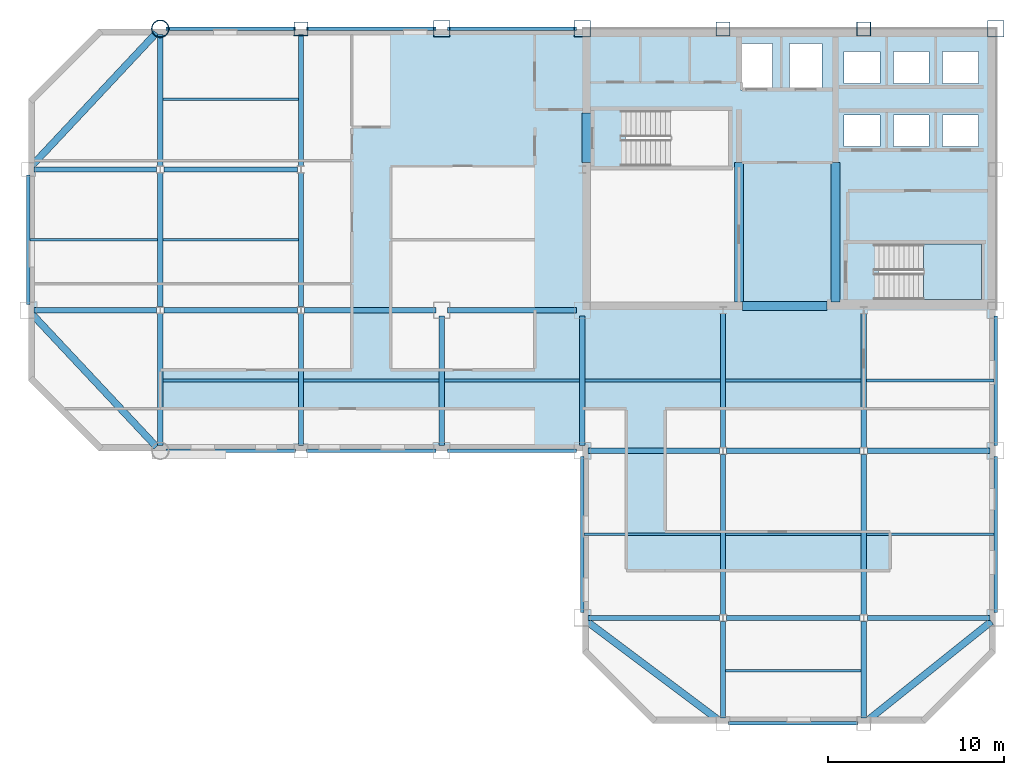
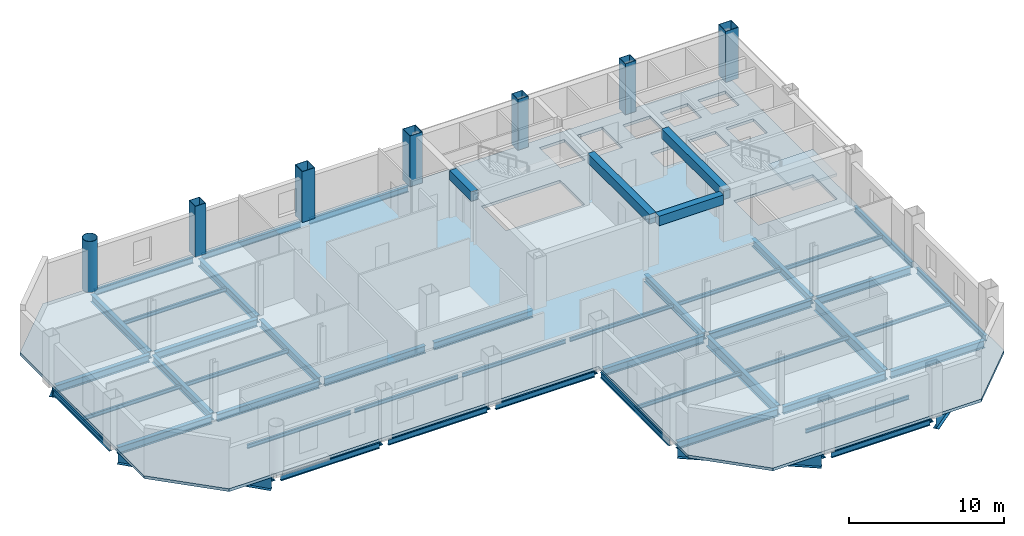
# One storey, part 3 of 10: 58 beams, 7 columns, 2 slabs, 1 element without a shape of its own.
"""IFC4 building model written with IfcOpenShell, lengths in metres."""

from ifc_helpers import new_model, si_unit, direction, frame, origin, origin_2d, place, context, subcontext, project, spatial, polyline, rectangle, hollow_rectangle, hollow_circle, i_section, outline, extrude, material, layer, layer_set, material_profile, profile_set, type_object, element, aggregate, save


model = new_model("IFC4")

# Units and contexts
model_context = context("Model", 3, precision=1e-05, world=origin(), true_north=direction((0.0, 1.0)))
body_context = subcontext(model_context, "Body", "Model", "MODEL_VIEW")
ifc_project = project(units=[si_unit("LENGTHUNIT", "METRE"), si_unit("AREAUNIT", "SQUARE_METRE"), si_unit("VOLUMEUNIT", "CUBIC_METRE"), si_unit("PLANEANGLEUNIT", "RADIAN"), si_unit("MASSUNIT", "GRAM", prefix="KILO")], contexts=[model_context])

# Site, building, storey
site_placement = place(None, origin())
site = spatial("IfcSite", under=ifc_project, at=site_placement, CompositionType="ELEMENT")
building_placement = place(site_placement, origin())
building = spatial("IfcBuilding", under=site, at=building_placement, Name="Qianrong Seaharbour Tower", CompositionType="ELEMENT")
storey_placement = place(building_placement, frame((0.0, 0.0, 253.800048828125)))
storey = spatial("IfcBuildingStorey", under=building, at=storey_placement, Name="L61", CompositionType="ELEMENT", Elevation=253.800048828125)

# Columns
ifc_material_1 = material(Name="Structural steel SN490B", Category="steel")
ifc_material_profile_1 = material_profile(ifc_material_1, hollow_rectangle(XDim=0.949951171875, YDim=0.949951171875, WallThickness=0.035888671875, at=origin_2d()), Name="BOX950x950x36")
ifc_profile_set_1 = profile_set([ifc_material_profile_1], Name="Structural steel SN490B")
column_type_1 = type_object("IfcColumnType", Name="COL-CFT-950", PredefinedType="COLUMN", material=ifc_profile_set_1)
for number, where, z_axis, x_axis, name in (
    (1, (32.5, 52.0, 0.0), (0.0, 0.0, 1.0), (1.0, 0.0, 0.0), "L61 Column MC-4 at G5/GH"),
    (2, (40.5, 52.0, 0.0), (0.0, 0.0, 1.0), (1.0, 0.0, 0.0), "L61 Column MC-4 at G6/GH"),
    (3, (64.0, 52.0, 0.0), (0.0, 0.0, 1.0), (1.0, 0.0, 0.0), "L61 Column MC-4 at G9/GH"),
):
    element("IfcColumn", number, at=place(storey_placement, frame(where, z_axis=z_axis, x_axis=x_axis)), inside=storey, type_object=column_type_1, Name=name, PredefinedType="COLUMN", context=body_context, shape_type="SweptSolid", body=[
        extrude(hollow_rectangle(XDim=0.949951171875, YDim=0.949951171875, WallThickness=0.035888671875, at=origin_2d()), origin(), (0.0, 0.0, 1.0), 4.0),
    ])
ifc_material_profile_2 = material_profile(ifc_material_1, hollow_circle(Radius=0.5, WallThickness=0.035888671875, at=origin_2d()), Name="CHS1000x36")
ifc_profile_set_2 = profile_set([ifc_material_profile_2], Name="Structural steel SN490B")
column_type_2 = type_object("IfcColumnType", Name="COL-CHS-1000", PredefinedType="COLUMN", material=ifc_profile_set_2)
column_placement = place(storey_placement, frame((16.5, 52.0, 0.0), z_axis=(0.0, 0.0, 1.0), x_axis=(1.0, 0.0, 0.0)))
element("IfcColumn", 4, at=column_placement, inside=storey, type_object=column_type_2, Name="L61 Column CC-2 at G3/GH", PredefinedType="COLUMN", context=body_context, shape_type="SweptSolid", body=[
    extrude(hollow_circle(Radius=0.5, WallThickness=0.035888671875, at=origin_2d()), origin(), (0.0, 0.0, 1.0), 4.0),
])
ifc_material_profile_3 = material_profile(ifc_material_1, hollow_rectangle(XDim=0.800048828125, YDim=0.800048828125, WallThickness=0.031982421875, at=origin_2d()), Name="BOX800x800x32")
ifc_profile_set_3 = profile_set([ifc_material_profile_3], Name="Structural steel SN490B")
column_type_3 = type_object("IfcColumnType", Name="COL-PER-800", PredefinedType="COLUMN", material=ifc_profile_set_3)
for number, where, z_axis, x_axis, name in (
    (5, (24.5, 52.0, 0.0), (0.0, 0.0, 1.0), (1.0, 0.0, 0.0), "L61 Column PC-3 at G4/GH"),
    (6, (48.5, 52.0, 0.0), (0.0, 0.0, 1.0), (1.0, 0.0, 0.0), "L61 Column PC-3 at G7/GH"),
    (7, (56.5, 52.0, 0.0), (0.0, 0.0, 1.0), (1.0, 0.0, 0.0), "L61 Column PC-3 at G8/GH"),
):
    element("IfcColumn", number, at=place(storey_placement, frame(where, z_axis=z_axis, x_axis=x_axis)), inside=storey, type_object=column_type_3, Name=name, PredefinedType="COLUMN", context=body_context, shape_type="SweptSolid", body=[
        extrude(hollow_rectangle(XDim=0.800048828125, YDim=0.800048828125, WallThickness=0.031982421875, at=origin_2d()), origin(), (0.0, 0.0, 1.0), 4.0),
    ])

# Beams
ifc_material_profile_4 = material_profile(ifc_material_1, i_section(OverallWidth=0.300048828125, OverallDepth=0.587890625, WebThickness=0.011962890625, FlangeThickness=0.02001953125, FilletRadius=0.02392578125, at=origin_2d()), Name="H588x300x12x20")
ifc_profile_set_4 = profile_set([ifc_material_profile_4], Name="Structural steel SN490B")
beam_type_1 = type_object("IfcBeamType", Name="BM-G-588", PredefinedType="BEAM", material=ifc_profile_set_4)
beam_1_placement = place(storey_placement, frame((40.820068359375, 18.5, -0.51904296875), z_axis=(1.0, 0.0, 0.0), x_axis=(0.0, 1.0, 0.0)))
element("IfcBeam", 8, at=beam_1_placement, inside=storey, type_object=beam_type_1, Name="L61 Primary Girder GD G6-G7", PredefinedType="BEAM", context=body_context, shape_type="SweptSolid", body=[
    extrude(i_section(OverallWidth=0.300048828125, OverallDepth=0.587890625, WebThickness=0.011962890625, FlangeThickness=0.02001953125, FilletRadius=0.02392578125, at=origin_2d()), origin(), (0.0, 0.0, 1.0), 7.47998046875),
])
beam_2_placement = place(storey_placement, frame((48.699951171875, 18.5, -0.51904296875), z_axis=(1.0, 0.0, 0.0), x_axis=(0.0, 1.0, 0.0)))
element("IfcBeam", 9, at=beam_2_placement, inside=storey, type_object=beam_type_1, Name="L61 Primary Girder GD G7-G8", PredefinedType="BEAM", context=body_context, shape_type="SweptSolid", body=[
    extrude(i_section(OverallWidth=0.300048828125, OverallDepth=0.587890625, WebThickness=0.011962890625, FlangeThickness=0.02001953125, FilletRadius=0.02392578125, at=origin_2d()), origin(), (0.0, 0.0, 1.0), 7.60009765625),
])
beam_3_placement = place(storey_placement, frame((56.699951171875, 18.5, -0.51904296875), z_axis=(1.0, 0.0, 0.0), x_axis=(0.0, 1.0, 0.0)))
element("IfcBeam", 10, at=beam_3_placement, inside=storey, type_object=beam_type_1, Name="L61 Primary Girder GD G8-G9", PredefinedType="BEAM", context=body_context, shape_type="SweptSolid", body=[
    extrude(i_section(OverallWidth=0.300048828125, OverallDepth=0.587890625, WebThickness=0.011962890625, FlangeThickness=0.02001953125, FilletRadius=0.02392578125, at=origin_2d()), origin(), (0.0, 0.0, 1.0), 6.97998046875),
])
beam_4_placement = place(storey_placement, frame((40.820068359375, 28.0, -0.51904296875), z_axis=(1.0, 0.0, 0.0), x_axis=(0.0, 1.0, 0.0)))
element("IfcBeam", 11, at=beam_4_placement, inside=storey, type_object=beam_type_1, Name="L61 Primary Girder GE G6-G7", PredefinedType="BEAM", context=body_context, shape_type="SweptSolid", body=[
    extrude(i_section(OverallWidth=0.300048828125, OverallDepth=0.587890625, WebThickness=0.011962890625, FlangeThickness=0.02001953125, FilletRadius=0.02392578125, at=origin_2d()), origin(), (0.0, 0.0, 1.0), 7.47998046875),
])
beam_5_placement = place(storey_placement, frame((48.699951171875, 28.0, -0.51904296875), z_axis=(1.0, 0.0, 0.0), x_axis=(0.0, 1.0, 0.0)))
element("IfcBeam", 12, at=beam_5_placement, inside=storey, type_object=beam_type_1, Name="L61 Primary Girder GE G7-G8", PredefinedType="BEAM", context=body_context, shape_type="SweptSolid", body=[
    extrude(i_section(OverallWidth=0.300048828125, OverallDepth=0.587890625, WebThickness=0.011962890625, FlangeThickness=0.02001953125, FilletRadius=0.02392578125, at=origin_2d()), origin(), (0.0, 0.0, 1.0), 7.60009765625),
])
for number, where, z_axis, x_axis, name in (
    (13, (56.699951171875, 28.0, -0.51904296875), (1.0, 0.0, 0.0), (0.0, 1.0, 0.0), "L61 Primary Girder GE G8-G9"),
    (14, (9.320068359375, 36.0, -0.51904296875), (1.0, 0.0, 0.0), (0.0, 1.0, 0.0), "L61 Primary Girder GF G2-G3"),
):
    element("IfcBeam", number, at=place(storey_placement, frame(where, z_axis=z_axis, x_axis=x_axis)), inside=storey, type_object=beam_type_1, Name=name, PredefinedType="BEAM", context=body_context, shape_type="SweptSolid", body=[
        extrude(i_section(OverallWidth=0.300048828125, OverallDepth=0.587890625, WebThickness=0.011962890625, FlangeThickness=0.02001953125, FilletRadius=0.02392578125, at=origin_2d()), origin(), (0.0, 0.0, 1.0), 6.97998046875),
    ])
beam_6_placement = place(storey_placement, frame((16.699951171875, 36.0, -0.51904296875), z_axis=(1.0, 0.0, 0.0), x_axis=(0.0, 1.0, 0.0)))
element("IfcBeam", 15, at=beam_6_placement, inside=storey, type_object=beam_type_1, Name="L61 Primary Girder GF G3-G4", PredefinedType="BEAM", context=body_context, shape_type="SweptSolid", body=[
    extrude(i_section(OverallWidth=0.300048828125, OverallDepth=0.587890625, WebThickness=0.011962890625, FlangeThickness=0.02001953125, FilletRadius=0.02392578125, at=origin_2d()), origin(), (0.0, 0.0, 1.0), 7.60009765625),
])
beam_7_placement = place(storey_placement, frame((24.699951171875, 36.0, -0.51904296875), z_axis=(1.0, 0.0, 0.0), x_axis=(0.0, 1.0, 0.0)))
element("IfcBeam", 16, at=beam_7_placement, inside=storey, type_object=beam_type_1, Name="L61 Primary Girder GF G4-G5", PredefinedType="BEAM", context=body_context, shape_type="SweptSolid", body=[
    extrude(i_section(OverallWidth=0.300048828125, OverallDepth=0.587890625, WebThickness=0.011962890625, FlangeThickness=0.02001953125, FilletRadius=0.02392578125, at=origin_2d()), origin(), (0.0, 0.0, 1.0), 7.47998046875),
])
beam_8_placement = place(storey_placement, frame((32.820068359375, 36.0, -0.51904296875), z_axis=(1.0, 0.0, 0.0), x_axis=(0.0, 1.0, 0.0)))
element("IfcBeam", 17, at=beam_8_placement, inside=storey, type_object=beam_type_1, Name="L61 Primary Girder GF G5-G6", PredefinedType="BEAM", context=body_context, shape_type="SweptSolid", body=[
    extrude(i_section(OverallWidth=0.300048828125, OverallDepth=0.587890625, WebThickness=0.011962890625, FlangeThickness=0.02001953125, FilletRadius=0.02392578125, at=origin_2d()), origin(), (0.0, 0.0, 1.0), 7.35986328125),
])
beam_9_placement = place(storey_placement, frame((9.320068359375, 44.0, -0.51904296875), z_axis=(1.0, 0.0, 0.0), x_axis=(0.0, 1.0, 0.0)))
element("IfcBeam", 18, at=beam_9_placement, inside=storey, type_object=beam_type_1, Name="L61 Primary Girder GG G2-G3", PredefinedType="BEAM", context=body_context, shape_type="SweptSolid", body=[
    extrude(i_section(OverallWidth=0.300048828125, OverallDepth=0.587890625, WebThickness=0.011962890625, FlangeThickness=0.02001953125, FilletRadius=0.02392578125, at=origin_2d()), origin(), (0.0, 0.0, 1.0), 6.97998046875),
])
beam_10_placement = place(storey_placement, frame((16.699951171875, 44.0, -0.51904296875), z_axis=(1.0, 0.0, 0.0), x_axis=(0.0, 1.0, 0.0)))
element("IfcBeam", 19, at=beam_10_placement, inside=storey, type_object=beam_type_1, Name="L61 Primary Girder GG G3-G4", PredefinedType="BEAM", context=body_context, shape_type="SweptSolid", body=[
    extrude(i_section(OverallWidth=0.300048828125, OverallDepth=0.587890625, WebThickness=0.011962890625, FlangeThickness=0.02001953125, FilletRadius=0.02392578125, at=origin_2d()), origin(), (0.0, 0.0, 1.0), 7.60009765625),
])
beam_11_placement = place(storey_placement, frame((16.5, 28.320068359375, -0.51904296875), z_axis=(0.0, 1.0, 0.0), x_axis=(-1.0, 0.0, 0.0)))
element("IfcBeam", 20, at=beam_11_placement, inside=storey, type_object=beam_type_1, Name="L61 Primary Girder G3 GE-GF", PredefinedType="BEAM", context=body_context, shape_type="SweptSolid", body=[
    extrude(i_section(OverallWidth=0.300048828125, OverallDepth=0.587890625, WebThickness=0.011962890625, FlangeThickness=0.02001953125, FilletRadius=0.02392578125, at=origin_2d()), origin(), (0.0, 0.0, 1.0), 7.47998046875),
])
beam_12_placement = place(storey_placement, frame((16.5, 36.199951171875, -0.51904296875), z_axis=(0.0, 1.0, 0.0), x_axis=(-1.0, 0.0, 0.0)))
element("IfcBeam", 21, at=beam_12_placement, inside=storey, type_object=beam_type_1, Name="L61 Primary Girder G3 GF-GG", PredefinedType="BEAM", context=body_context, shape_type="SweptSolid", body=[
    extrude(i_section(OverallWidth=0.300048828125, OverallDepth=0.587890625, WebThickness=0.011962890625, FlangeThickness=0.02001953125, FilletRadius=0.02392578125, at=origin_2d()), origin(), (0.0, 0.0, 1.0), 7.60009765625),
])
for number, where, z_axis, x_axis, name in (
    (22, (16.5, 44.199951171875, -0.51904296875), (0.0, 1.0, 0.0), (-1.0, 0.0, 0.0), "L61 Primary Girder G3 GG-GH"),
    (23, (24.5, 28.320068359375, -0.51904296875), (0.0, 1.0, 0.0), (-1.0, 0.0, 0.0), "L61 Primary Girder G4 GE-GF"),
):
    element("IfcBeam", number, at=place(storey_placement, frame(where, z_axis=z_axis, x_axis=x_axis)), inside=storey, type_object=beam_type_1, Name=name, PredefinedType="BEAM", context=body_context, shape_type="SweptSolid", body=[
        extrude(i_section(OverallWidth=0.300048828125, OverallDepth=0.587890625, WebThickness=0.011962890625, FlangeThickness=0.02001953125, FilletRadius=0.02392578125, at=origin_2d()), origin(), (0.0, 0.0, 1.0), 7.47998046875),
    ])
beam_13_placement = place(storey_placement, frame((24.5, 36.199951171875, -0.51904296875), z_axis=(0.0, 1.0, 0.0), x_axis=(-1.0, 0.0, 0.0)))
element("IfcBeam", 24, at=beam_13_placement, inside=storey, type_object=beam_type_1, Name="L61 Primary Girder G4 GF-GG", PredefinedType="BEAM", context=body_context, shape_type="SweptSolid", body=[
    extrude(i_section(OverallWidth=0.300048828125, OverallDepth=0.587890625, WebThickness=0.011962890625, FlangeThickness=0.02001953125, FilletRadius=0.02392578125, at=origin_2d()), origin(), (0.0, 0.0, 1.0), 7.60009765625),
])
beam_14_placement = place(storey_placement, frame((24.5, 44.199951171875, -0.51904296875), z_axis=(0.0, 1.0, 0.0), x_axis=(-1.0, 0.0, 0.0)))
element("IfcBeam", 25, at=beam_14_placement, inside=storey, type_object=beam_type_1, Name="L61 Primary Girder G4 GG-GH", PredefinedType="BEAM", context=body_context, shape_type="SweptSolid", body=[
    extrude(i_section(OverallWidth=0.300048828125, OverallDepth=0.587890625, WebThickness=0.011962890625, FlangeThickness=0.02001953125, FilletRadius=0.02392578125, at=origin_2d()), origin(), (0.0, 0.0, 1.0), 7.47998046875),
])
for number, where, z_axis, x_axis, name in (
    (26, (32.5, 28.320068359375, -0.51904296875), (0.0, 1.0, 0.0), (-1.0, 0.0, 0.0), "L61 Primary Girder G5 GE-GF"),
    (27, (40.5, 28.320068359375, -0.51904296875), (0.0, 1.0, 0.0), (-1.0, 0.0, 0.0), "L61 Primary Girder G6 GE-GF"),
):
    element("IfcBeam", number, at=place(storey_placement, frame(where, z_axis=z_axis, x_axis=x_axis)), inside=storey, type_object=beam_type_1, Name=name, PredefinedType="BEAM", context=body_context, shape_type="SweptSolid", body=[
        extrude(i_section(OverallWidth=0.300048828125, OverallDepth=0.587890625, WebThickness=0.011962890625, FlangeThickness=0.02001953125, FilletRadius=0.02392578125, at=origin_2d()), origin(), (0.0, 0.0, 1.0), 7.35986328125),
    ])
beam_15_placement = place(storey_placement, frame((48.5, 12.820068359375, -0.51904296875), z_axis=(0.0, 1.0, 0.0), x_axis=(-1.0, 0.0, 0.0)))
element("IfcBeam", 28, at=beam_15_placement, inside=storey, type_object=beam_type_1, Name="L61 Primary Girder G7 GC-GD", PredefinedType="BEAM", context=body_context, shape_type="SweptSolid", body=[
    extrude(i_section(OverallWidth=0.300048828125, OverallDepth=0.587890625, WebThickness=0.011962890625, FlangeThickness=0.02001953125, FilletRadius=0.02392578125, at=origin_2d()), origin(), (0.0, 0.0, 1.0), 5.47998046875),
])
beam_16_placement = place(storey_placement, frame((48.5, 28.199951171875, -0.51904296875), z_axis=(0.0, 1.0, 0.0), x_axis=(-1.0, 0.0, 0.0)))
element("IfcBeam", 29, at=beam_16_placement, inside=storey, type_object=beam_type_1, Name="L61 Primary Girder G7 GE-GF", PredefinedType="BEAM", context=body_context, shape_type="SweptSolid", body=[
    extrude(i_section(OverallWidth=0.300048828125, OverallDepth=0.587890625, WebThickness=0.011962890625, FlangeThickness=0.02001953125, FilletRadius=0.02392578125, at=origin_2d()), origin(), (0.0, 0.0, 1.0), 7.60009765625),
])
beam_17_placement = place(storey_placement, frame((56.5, 12.820068359375, -0.51904296875), z_axis=(0.0, 1.0, 0.0), x_axis=(-1.0, 0.0, 0.0)))
element("IfcBeam", 30, at=beam_17_placement, inside=storey, type_object=beam_type_1, Name="L61 Primary Girder G8 GC-GD", PredefinedType="BEAM", context=body_context, shape_type="SweptSolid", body=[
    extrude(i_section(OverallWidth=0.300048828125, OverallDepth=0.587890625, WebThickness=0.011962890625, FlangeThickness=0.02001953125, FilletRadius=0.02392578125, at=origin_2d()), origin(), (0.0, 0.0, 1.0), 5.47998046875),
])
beam_18_placement = place(storey_placement, frame((56.5, 28.199951171875, -0.51904296875), z_axis=(0.0, 1.0, 0.0), x_axis=(-1.0, 0.0, 0.0)))
element("IfcBeam", 31, at=beam_18_placement, inside=storey, type_object=beam_type_1, Name="L61 Primary Girder G8 GE-GF", PredefinedType="BEAM", context=body_context, shape_type="SweptSolid", body=[
    extrude(i_section(OverallWidth=0.300048828125, OverallDepth=0.587890625, WebThickness=0.011962890625, FlangeThickness=0.02001953125, FilletRadius=0.02392578125, at=origin_2d()), origin(), (0.0, 0.0, 1.0), 7.60009765625),
])
ifc_material_profile_5 = material_profile(ifc_material_1, i_section(OverallWidth=0.300048828125, OverallDepth=0.800048828125, WebThickness=0.013916015625, FlangeThickness=0.02587890625, FilletRadius=0.028076171875, at=origin_2d()), Name="H800x300x14x26")
ifc_profile_set_5 = profile_set([ifc_material_profile_5], Name="Structural steel SN490B")
beam_type_2 = type_object("IfcBeamType", Name="BM-G-800", PredefinedType="BEAM", material=ifc_profile_set_5)
for number, where, z_axis, x_axis, name in (
    (32, (48.5, 18.699951171875, -0.625), (0.0, 1.0, 0.0), (-1.0, 0.0, 0.0), "L61 Primary Girder G7 GD-GE"),
    (33, (56.5, 18.699951171875, -0.625), (0.0, 1.0, 0.0), (-1.0, 0.0, 0.0), "L61 Primary Girder G8 GD-GE"),
):
    element("IfcBeam", number, at=place(storey_placement, frame(where, z_axis=z_axis, x_axis=x_axis)), inside=storey, type_object=beam_type_2, Name=name, PredefinedType="BEAM", context=body_context, shape_type="SweptSolid", body=[
        extrude(i_section(OverallWidth=0.300048828125, OverallDepth=0.800048828125, WebThickness=0.013916015625, FlangeThickness=0.02587890625, FilletRadius=0.028076171875, at=origin_2d()), origin(), (0.0, 0.0, 1.0), 9.10009765625),
    ])
ifc_material_2 = material(Name="Structural steel SN400B", Category="steel")
ifc_material_profile_6 = material_profile(ifc_material_2, i_section(OverallWidth=0.14990234375, OverallDepth=0.300048828125, WebThickness=0.006591796875, FlangeThickness=0.009033203125, FilletRadius=0.012939453125, at=origin_2d()), Name="H300x150x6.5x9")
ifc_profile_set_6 = profile_set([ifc_material_profile_6], Name="Structural steel SN400B")
beam_type_3 = type_object("IfcBeamType", Name="BM-J-300", PredefinedType="JOIST", material=ifc_profile_set_6)
beam_19_placement = place(storey_placement, frame((9.10009765625, 40.0, -0.375), z_axis=(1.0, 0.0, 0.0), x_axis=(0.0, 1.0, 0.0)))
element("IfcBeam", 34, at=beam_19_placement, inside=storey, type_object=beam_type_3, Name="L61 Composite Floor Joist G2-G3/GF-GG", PredefinedType="JOIST", context=body_context, shape_type="SweptSolid", body=[
    extrude(i_section(OverallWidth=0.14990234375, OverallDepth=0.300048828125, WebThickness=0.006591796875, FlangeThickness=0.009033203125, FilletRadius=0.012939453125, at=origin_2d()), origin(), (0.0, 0.0, 1.0), 7.25),
])
for number, where, z_axis, x_axis, name in (
    (35, (16.64990234375, 32.0, -0.375), (1.0, 0.0, 0.0), (0.0, 1.0, 0.0), "L61 Composite Floor Joist G3-G4/GE-GF"),
    (36, (16.64990234375, 40.0, -0.375), (1.0, 0.0, 0.0), (0.0, 1.0, 0.0), "L61 Composite Floor Joist G3-G4/GF-GG"),
    (37, (16.64990234375, 48.0, -0.375), (1.0, 0.0, 0.0), (0.0, 1.0, 0.0), "L61 Composite Floor Joist G3-G4/GG-GH"),
    (38, (24.64990234375, 32.0, -0.375), (1.0, 0.0, 0.0), (0.0, 1.0, 0.0), "L61 Composite Floor Joist G4-G5/GE-GF"),
    (39, (32.64990234375, 32.0, -0.375), (1.0, 0.0, 0.0), (0.0, 1.0, 0.0), "L61 Composite Floor Joist G5-G6/GE-GF"),
):
    element("IfcBeam", number, at=place(storey_placement, frame(where, z_axis=z_axis, x_axis=x_axis)), inside=storey, type_object=beam_type_3, Name=name, PredefinedType="JOIST", context=body_context, shape_type="SweptSolid", body=[
        extrude(i_section(OverallWidth=0.14990234375, OverallDepth=0.300048828125, WebThickness=0.006591796875, FlangeThickness=0.009033203125, FilletRadius=0.012939453125, at=origin_2d()), origin(), (0.0, 0.0, 1.0), 7.7001953125),
    ])
beam_20_placement = place(storey_placement, frame((40.60009765625, 23.25, -0.375), z_axis=(1.0, 0.0, 0.0), x_axis=(0.0, 1.0, 0.0)))
element("IfcBeam", 40, at=beam_20_placement, inside=storey, type_object=beam_type_3, Name="L61 Composite Floor Joist G6-G7/GD-GE", PredefinedType="JOIST", context=body_context, shape_type="SweptSolid", body=[
    extrude(i_section(OverallWidth=0.14990234375, OverallDepth=0.300048828125, WebThickness=0.006591796875, FlangeThickness=0.009033203125, FilletRadius=0.012939453125, at=origin_2d()), origin(), (0.0, 0.0, 1.0), 7.75),
])
for number, where, z_axis, x_axis, name in (
    (41, (40.64990234375, 32.0, -0.375), (1.0, 0.0, 0.0), (0.0, 1.0, 0.0), "L61 Composite Floor Joist G6-G7/GE-GF"),
    (42, (48.64990234375, 15.5, -0.375), (1.0, 0.0, 0.0), (0.0, 1.0, 0.0), "L61 Composite Floor Joist G7-G8/GC-GD"),
    (43, (48.64990234375, 23.25, -0.375), (1.0, 0.0, 0.0), (0.0, 1.0, 0.0), "L61 Composite Floor Joist G7-G8/GD-GE"),
    (44, (48.64990234375, 32.0, -0.375), (1.0, 0.0, 0.0), (0.0, 1.0, 0.0), "L61 Composite Floor Joist G7-G8/GE-GF"),
):
    element("IfcBeam", number, at=place(storey_placement, frame(where, z_axis=z_axis, x_axis=x_axis)), inside=storey, type_object=beam_type_3, Name=name, PredefinedType="JOIST", context=body_context, shape_type="SweptSolid", body=[
        extrude(i_section(OverallWidth=0.14990234375, OverallDepth=0.300048828125, WebThickness=0.006591796875, FlangeThickness=0.009033203125, FilletRadius=0.012939453125, at=origin_2d()), origin(), (0.0, 0.0, 1.0), 7.7001953125),
    ])
for number, where, z_axis, x_axis, name in (
    (45, (56.64990234375, 23.25, -0.375), (1.0, 0.0, 0.0), (0.0, 1.0, 0.0), "L61 Composite Floor Joist G8-G9/GD-GE"),
    (46, (56.64990234375, 32.0, -0.375), (1.0, 0.0, 0.0), (0.0, 1.0, 0.0), "L61 Composite Floor Joist G8-G9/GE-GF"),
):
    element("IfcBeam", number, at=place(storey_placement, frame(where, z_axis=z_axis, x_axis=x_axis)), inside=storey, type_object=beam_type_3, Name=name, PredefinedType="JOIST", context=body_context, shape_type="SweptSolid", body=[
        extrude(i_section(OverallWidth=0.14990234375, OverallDepth=0.300048828125, WebThickness=0.006591796875, FlangeThickness=0.009033203125, FilletRadius=0.012939453125, at=origin_2d()), origin(), (0.0, 0.0, 1.0), 7.25),
    ])
ifc_material_3 = material(Name="Concrete C60/75", Category="concrete")
ifc_material_profile_7 = material_profile(ifc_material_3, rectangle(XDim=0.5, YDim=0.75, at=origin_2d()), Name="RC500x750")
ifc_profile_set_7 = profile_set([ifc_material_profile_7], Name="Concrete C60/75")
beam_type_4 = type_object("IfcBeamType", Name="BM-LINTEL-750", PredefinedType="LINTEL", material=ifc_profile_set_7)
beam_21_placement = place(storey_placement, frame((40.72998046875, 44.39990234375, 3.39990234375), z_axis=(0.0, 1.0, 0.0), x_axis=(-1.0, 0.0, 0.0)))
element("IfcBeam", 47, at=beam_21_placement, inside=storey, type_object=beam_type_4, Name="L61 Core Coupling Lintel Beam West", PredefinedType="LINTEL", context=body_context, shape_type="SweptSolid", body=[
    extrude(rectangle(XDim=0.5, YDim=0.75, at=origin_2d()), origin(), (0.0, 0.0, 1.0), 2.800048828125),
])
beam_22_placement = place(storey_placement, frame((49.60009765625, 36.22998046875, 3.39990234375), z_axis=(1.0, 0.0, 0.0), x_axis=(0.0, 1.0, 0.0)))
element("IfcBeam", 48, at=beam_22_placement, inside=storey, type_object=beam_type_4, Name="L61 Core Coupling Lintel Beam CBC", PredefinedType="LINTEL", context=body_context, shape_type="SweptSolid", body=[
    extrude(rectangle(XDim=0.5, YDim=0.75, at=origin_2d()), origin(), (0.0, 0.0, 1.0), 4.7998046875),
])
for number, where, z_axis, x_axis, name in (
    (49, (49.39990234375, 36.4599609375, 3.39990234375), (0.0, 1.0, 0.0), (-1.0, 0.0, 0.0), "L61 Internal Core Coupling Beam IW1"),
    (50, (54.89990234375, 36.4599609375, 3.39990234375), (0.0, 1.0, 0.0), (-1.0, 0.0, 0.0), "L61 Internal Core Coupling Beam IW2"),
):
    element("IfcBeam", number, at=place(storey_placement, frame(where, z_axis=z_axis, x_axis=x_axis)), inside=storey, type_object=beam_type_4, Name=name, PredefinedType="LINTEL", context=body_context, shape_type="SweptSolid", body=[
        extrude(rectangle(XDim=0.5, YDim=0.75, at=origin_2d()), origin(), (0.0, 0.0, 1.0), 7.93994140625),
    ])
ifc_material_profile_8 = material_profile(ifc_material_2, i_section(OverallWidth=0.199951171875, OverallDepth=0.449951171875, WebThickness=0.009033203125, FlangeThickness=0.013916015625, FilletRadius=0.01806640625, at=origin_2d()), Name="H450x200x9x14")
ifc_profile_set_8 = profile_set([ifc_material_profile_8], Name="Structural steel SN400B")
beam_type_5 = type_object("IfcBeamType", Name="BM-SP-450", PredefinedType="SPANDREL", material=ifc_profile_set_8)
for number, where, z_axis, x_axis, name in (
    (51, (48.820068359375, 12.5, -0.449951171875), (1.0, 0.0, 0.0), (0.0, 1.0, 0.0), "L61 Spandrel Girder GC G7-G8"),
    (52, (16.820068359375, 28.0, -0.449951171875), (1.0, 0.0, 0.0), (0.0, 1.0, 0.0), "L61 Spandrel Girder GE G3-G4"),
    (53, (24.820068359375, 28.0, -0.449951171875), (1.0, 0.0, 0.0), (0.0, 1.0, 0.0), "L61 Spandrel Girder GE G4-G5"),
    (54, (32.820068359375, 28.0, -0.449951171875), (1.0, 0.0, 0.0), (0.0, 1.0, 0.0), "L61 Spandrel Girder GE G5-G6"),
    (55, (16.820068359375, 52.0, -0.449951171875), (1.0, 0.0, 0.0), (0.0, 1.0, 0.0), "L61 Spandrel Girder GH G3-G4"),
    (56, (24.820068359375, 52.0, -0.449951171875), (1.0, 0.0, 0.0), (0.0, 1.0, 0.0), "L61 Spandrel Girder GH G4-G5"),
    (57, (32.820068359375, 52.0, -0.449951171875), (1.0, 0.0, 0.0), (0.0, 1.0, 0.0), "L61 Spandrel Girder GH G5-G6"),
    (58, (9.0, 36.320068359375, -0.449951171875), (0.0, 1.0, 0.0), (-1.0, 0.0, 0.0), "L61 Spandrel Girder G2 GF-GG"),
):
    element("IfcBeam", number, at=place(storey_placement, frame(where, z_axis=z_axis, x_axis=x_axis)), inside=storey, type_object=beam_type_5, Name=name, PredefinedType="SPANDREL", context=body_context, shape_type="SweptSolid", body=[
        extrude(i_section(OverallWidth=0.199951171875, OverallDepth=0.449951171875, WebThickness=0.009033203125, FlangeThickness=0.013916015625, FilletRadius=0.01806640625, at=origin_2d()), origin(), (0.0, 0.0, 1.0), 7.35986328125),
    ])
for number, where, z_axis, x_axis, name in (
    (59, (40.5, 18.820068359375, -0.449951171875), (0.0, 1.0, 0.0), (-1.0, 0.0, 0.0), "L61 Spandrel Girder G6 GD-GE"),
    (60, (64.0, 18.820068359375, -0.449951171875), (0.0, 1.0, 0.0), (-1.0, 0.0, 0.0), "L61 Spandrel Girder G9 GD-GE"),
):
    element("IfcBeam", number, at=place(storey_placement, frame(where, z_axis=z_axis, x_axis=x_axis)), inside=storey, type_object=beam_type_5, Name=name, PredefinedType="SPANDREL", context=body_context, shape_type="SweptSolid", body=[
        extrude(i_section(OverallWidth=0.199951171875, OverallDepth=0.449951171875, WebThickness=0.009033203125, FlangeThickness=0.013916015625, FilletRadius=0.01806640625, at=origin_2d()), origin(), (0.0, 0.0, 1.0), 8.85986328125),
    ])
beam_23_placement = place(storey_placement, frame((64.0, 28.320068359375, -0.449951171875), z_axis=(0.0, 1.0, 0.0), x_axis=(-1.0, 0.0, 0.0)))
element("IfcBeam", 61, at=beam_23_placement, inside=storey, type_object=beam_type_5, Name="L61 Spandrel Girder G9 GE-GF", PredefinedType="SPANDREL", context=body_context, shape_type="SweptSolid", body=[
    extrude(i_section(OverallWidth=0.199951171875, OverallDepth=0.449951171875, WebThickness=0.009033203125, FlangeThickness=0.013916015625, FilletRadius=0.01806640625, at=origin_2d()), origin(), (0.0, 0.0, 1.0), 7.35986328125),
])
ifc_material_profile_9 = material_profile(ifc_material_1, i_section(OverallWidth=0.39990234375, OverallDepth=1.10009765625, WebThickness=0.02001953125, FlangeThickness=0.035888671875, at=origin_2d()), Name="BH1100x400x20x36")
ifc_profile_set_9 = profile_set([ifc_material_profile_9], Name="Structural steel SN490B")
beam_type_6 = type_object("IfcBeamType", Name="BM-TG-1100", PredefinedType="BEAM", material=ifc_profile_set_9)
for number, where, z_axis, x_axis, name in (
    (62, (16.28125, 28.2333984375, -0.775146484375), (-0.683947420573, 0.729531305628, 0.0), (-0.729531305628, -0.683947420573, 0.0), "L61 Chamfer Corner Spandrel Girder G2/GE"),
    (63, (16.28125, 51.7666015625, -0.775146484375), (-0.683947420573, -0.729531305628, 0.0), (0.729531305628, -0.683947420573, 0.0), "L61 Chamfer Corner Spandrel Girder G2/GH"),
):
    element("IfcBeam", number, at=place(storey_placement, frame(where, z_axis=z_axis, x_axis=x_axis)), inside=storey, type_object=beam_type_6, Name=name, PredefinedType="BEAM", context=body_context, shape_type="SweptSolid", body=[
        extrude(i_section(OverallWidth=0.39990234375, OverallDepth=1.10009765625, WebThickness=0.02001953125, FlangeThickness=0.035888671875, at=origin_2d()), origin(), (0.0, 0.0, 1.0), 10.326171875),
    ])
beam_24_placement = place(storey_placement, frame((48.243896484375, 12.69189453125, -0.775146484375), z_axis=(-0.799981219482, 0.600025039875, 0.0), x_axis=(-0.600025039875, -0.799981219482, 0.0)))
element("IfcBeam", 64, at=beam_24_placement, inside=storey, type_object=beam_type_6, Name="L61 Chamfer Corner Spandrel Girder G6/GC", PredefinedType="BEAM", context=body_context, shape_type="SweptSolid", body=[
    extrude(i_section(OverallWidth=0.39990234375, OverallDepth=1.10009765625, WebThickness=0.02001953125, FlangeThickness=0.035888671875, at=origin_2d()), origin(), (0.0, 0.0, 1.0), 9.35986328125),
])
beam_25_placement = place(storey_placement, frame((56.75, 12.699951171875, -0.775146484375), z_axis=(0.780863495394, 0.624701690058, 0.0), x_axis=(-0.624701690058, 0.780863495394, 0.0)))
element("IfcBeam", 65, at=beam_25_placement, inside=storey, type_object=beam_type_6, Name="L61 Chamfer Corner Spandrel Girder G9/GC", PredefinedType="BEAM", context=body_context, shape_type="SweptSolid", body=[
    extrude(i_section(OverallWidth=0.39990234375, OverallDepth=1.10009765625, WebThickness=0.02001953125, FlangeThickness=0.035888671875, at=origin_2d()), origin(), (0.0, 0.0, 1.0), 8.96435546875),
])

# Stair, slab
ifc_material_4 = material(Name="Concrete C50/60", Category="concrete")
stair_type = type_object("IfcStairType", Name="STAIR-DOGLEG-1500-R22", PredefinedType="HALF_TURN_STAIR", material=ifc_material_4)
stair_placement = place(storey_placement, origin())
stair = element("IfcStair", 66, at=stair_placement, inside=storey, type_object=stair_type, Name="L61 Protected Escape Stair ST-2", PredefinedType="HALF_TURN_STAIR")
ifc_layer_1 = layer(ifc_material_4, 0.199951171875)
ifc_layer_set_1 = layer_set([ifc_layer_1], Name="Concrete C50/60")
slab_type_1 = type_object("IfcSlabType", Name="SLAB-STAIR-LANDING-200", PredefinedType="LANDING", material=ifc_layer_set_1)
slab_1_placement = place(storey_placement, frame((0.0, 0.0, 1.800048828125)))
slab_1 = element("IfcSlab", 67, at=slab_1_placement, type_object=slab_type_1, Name="ST-2 landing 1", PredefinedType="LANDING", context=body_context, shape_type="SweptSolid", body=[
    extrude(outline(polyline([(59.89990234375, 36.60009765625), (63.199951171875, 36.60009765625), (63.199951171875, 39.75), (59.89990234375, 39.75), (59.89990234375, 36.60009765625)])), origin(), (0.0, 0.0, 1.0), 0.199951171875),
])
aggregate(stair, [slab_1])

# Slab
ifc_layer_2 = layer(ifc_material_4, 0.22509765625)
ifc_layer_set_2 = layer_set([ifc_layer_2], Name="Concrete C50/60")
slab_type_2 = type_object("IfcSlabType", Name="SLAB-Z3-225", PredefinedType="FLOOR", material=ifc_layer_set_2)
slab_2_placement = place(storey_placement, frame((0.0, 0.0, -0.22509765625)))
element("IfcSlab", 68, at=slab_2_placement, inside=storey, type_object=slab_type_2, Name="L61 Structural Floor Slab", PredefinedType="FLOOR", context=body_context, shape_type="SweptSolid", body=[
    extrude(outline(polyline([(44.5, 12.5), (60.0, 12.5), (64.0, 16.5), (64.0, 52.0), (13.0, 52.0), (9.0, 48.0), (9.0, 32.0), (13.0, 28.0), (40.5, 28.0), (40.5, 16.5), (44.5, 12.5)]), holes=[polyline([(42.93994140625, 44.199951171875), (42.93994140625, 47.35009765625), (48.800048828125, 47.35009765625), (48.800048828125, 44.199951171875), (42.93994140625, 44.199951171875)]), polyline([(57.340087890625, 36.60009765625), (57.340087890625, 39.75), (63.199951171875, 39.75), (63.199951171875, 36.60009765625), (57.340087890625, 36.60009765625)]), polyline([(49.47998046875, 48.530029296875), (49.47998046875, 51.169921875), (51.320068359375, 51.169921875), (51.320068359375, 48.530029296875), (49.47998046875, 48.530029296875)]), polyline([(52.280029296875, 48.530029296875), (52.280029296875, 51.169921875), (54.1201171875, 51.169921875), (54.1201171875, 48.530029296875), (52.280029296875, 48.530029296875)]), polyline([(55.3798828125, 45.300048828125), (55.3798828125, 47.10009765625), (57.419921875, 47.10009765625), (57.419921875, 45.300048828125), (55.3798828125, 45.300048828125)]), polyline([(58.179931640625, 45.300048828125), (58.179931640625, 47.10009765625), (60.219970703125, 47.10009765625), (60.219970703125, 45.300048828125), (58.179931640625, 45.300048828125)]), polyline([(60.97998046875, 45.300048828125), (60.97998046875, 47.10009765625), (63.02001953125, 47.10009765625), (63.02001953125, 45.300048828125), (60.97998046875, 45.300048828125)]), polyline([(55.3798828125, 48.89990234375), (55.3798828125, 50.699951171875), (57.419921875, 50.699951171875), (57.419921875, 48.89990234375), (55.3798828125, 48.89990234375)]), polyline([(58.179931640625, 48.89990234375), (58.179931640625, 50.699951171875), (60.219970703125, 50.699951171875), (60.219970703125, 48.89990234375), (58.179931640625, 48.89990234375)]), polyline([(60.97998046875, 48.89990234375), (60.97998046875, 50.699951171875), (63.02001953125, 50.699951171875), (63.02001953125, 48.89990234375), (60.97998046875, 48.89990234375)])]), origin(), (0.0, 0.0, 1.0), 0.22509765625),
])

save(model, "model.ifc")
